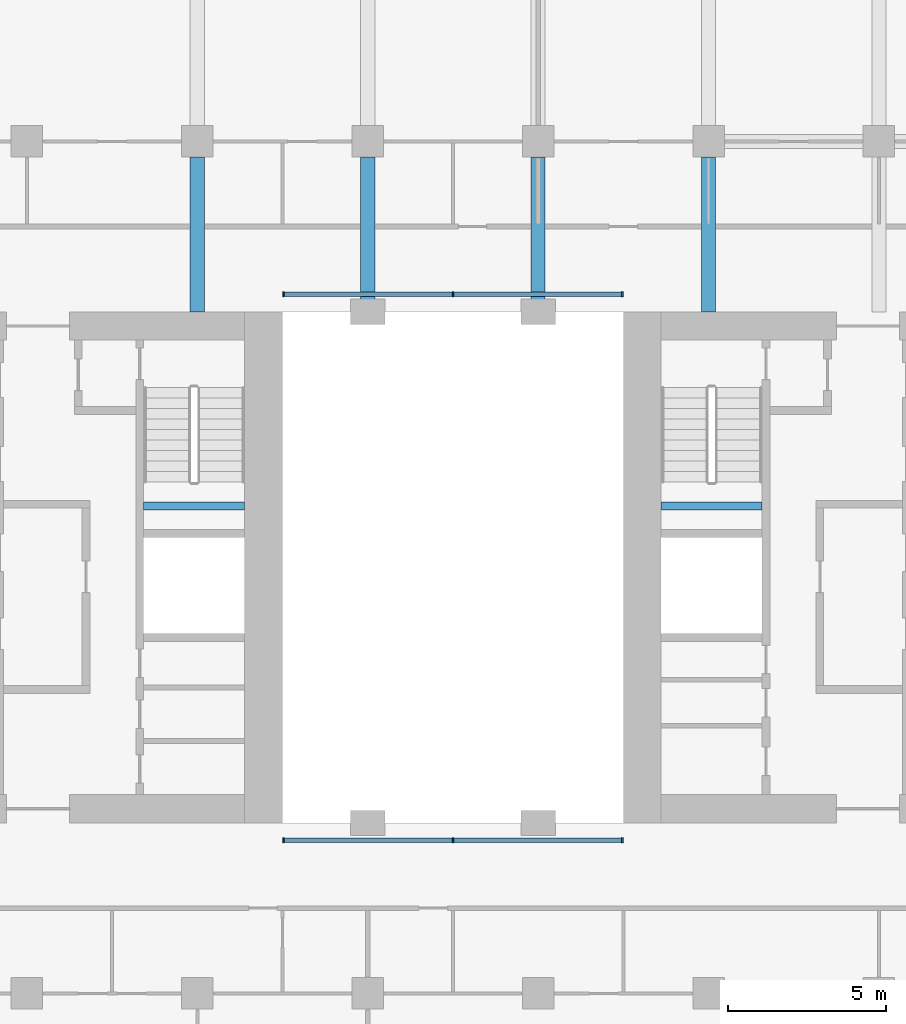
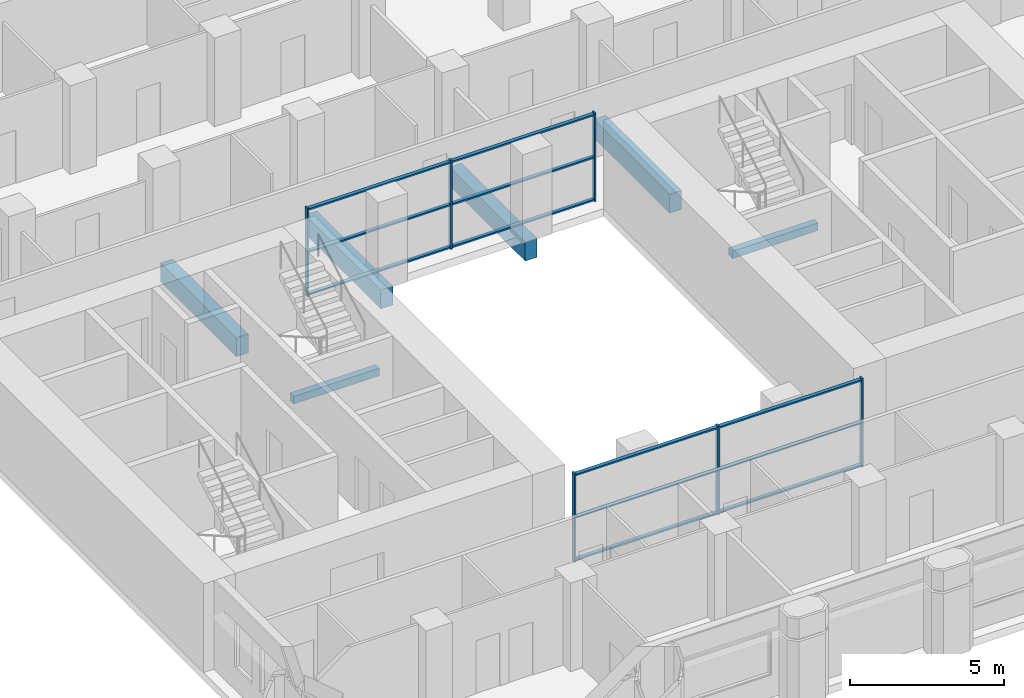
# One storey, part 2 of 11: 18 members, 6 beams, 2 elements without a shape of their own.
"""IFC4 building model written with IfcOpenShell, lengths in metres."""

from ifc_helpers import new_model, si_unit, direction, frame, origin, origin_2d, place, context, subcontext, project, spatial, rectangle, extrude, material, material_profile, profile_set, type_object, element, aggregate, save


model = new_model("IFC4")

# Units and contexts
model_context = context("Model", 3, precision=1e-05, world=origin(), true_north=direction((0.0, 1.0)))
body_context = subcontext(model_context, "Body", "Model", "MODEL_VIEW")
ifc_project = project(units=[si_unit("LENGTHUNIT", "METRE"), si_unit("AREAUNIT", "SQUARE_METRE"), si_unit("VOLUMEUNIT", "CUBIC_METRE"), si_unit("PLANEANGLEUNIT", "RADIAN"), si_unit("MASSUNIT", "GRAM", prefix="KILO")], contexts=[model_context])

# Site, building, storey
site_placement = place(None, origin())
site = spatial("IfcSite", under=ifc_project, at=site_placement, CompositionType="ELEMENT")
building_placement = place(site_placement, origin())
building = spatial("IfcBuilding", under=site, at=building_placement, Name="Tabaq Tower and Sports Hall", CompositionType="ELEMENT")
storey_placement = place(building_placement, frame((0.0, 0.0, 91.60009765625)))
storey = spatial("IfcBuildingStorey", under=building, at=storey_placement, Name="L21", CompositionType="ELEMENT", Elevation=91.60009765625)

# Curtain wall, members
ifc_material_1 = material(Name="Aluminium alloy 6063-T6 framed glazing", Category="aluminium")
curtain_wall_type = type_object("IfcCurtainWallType", Name="CW1 curtain wall", PredefinedType="USERDEFINED", material=ifc_material_1)
curtain_wall_1_placement = place(storey_placement, origin())
curtain_wall_1 = element("IfcCurtainWall", 1, at=curtain_wall_1_placement, inside=storey, type_object=curtain_wall_type, Name="Atrium glazing L21 S", ObjectType="ATRIUM ENCLOSURE", PredefinedType="USERDEFINED")
ifc_material_2 = material(Name="Aluminium alloy 6063-T6", Category="aluminium")
ifc_material_profile_1 = material_profile(ifc_material_2, rectangle(XDim=0.159912109375, YDim=0.06005859375, at=origin_2d()), Name="MULLION 160x60")
ifc_profile_set_1 = profile_set([ifc_material_profile_1], Name="Aluminium alloy 6063-T6")
member_type_1 = type_object("IfcMemberType", Name="CW1 mullion 160x60", PredefinedType="MULLION", material=ifc_profile_set_1)
member_1_placement = place(storey_placement, frame((18.929931640625, 15.64990234375, 0.0), z_axis=(0.0, 0.0, 1.0), x_axis=(0.0, 1.0, 0.0)))
member_1 = element("IfcMember", 2, at=member_1_placement, type_object=member_type_1, Name="CW1 mullion 1", PredefinedType="MULLION", context=body_context, shape_type="SweptSolid", body=[
    extrude(rectangle(XDim=0.159912109375, YDim=0.06005859375, at=origin_2d()), origin(), (0.0, 0.0, 1.0), 3.5),
])
member_2_placement = place(storey_placement, frame((24.300048828125, 15.64990234375, 0.0), z_axis=(0.0, 0.0, 1.0), x_axis=(0.0, 1.0, 0.0)))
member_2 = element("IfcMember", 3, at=member_2_placement, type_object=member_type_1, Name="CW1 mullion 2", PredefinedType="MULLION", context=body_context, shape_type="SweptSolid", body=[
    extrude(rectangle(XDim=0.159912109375, YDim=0.06005859375, at=origin_2d()), origin(), (0.0, 0.0, 1.0), 3.5),
])
member_3_placement = place(storey_placement, frame((29.669921875, 15.64990234375, 0.0), z_axis=(0.0, 0.0, 1.0), x_axis=(0.0, 1.0, 0.0)))
member_3 = element("IfcMember", 4, at=member_3_placement, type_object=member_type_1, Name="CW1 mullion 3", PredefinedType="MULLION", context=body_context, shape_type="SweptSolid", body=[
    extrude(rectangle(XDim=0.159912109375, YDim=0.06005859375, at=origin_2d()), origin(), (0.0, 0.0, 1.0), 3.5),
])

curtain_wall_2_placement = place(storey_placement, origin())
curtain_wall_2 = element("IfcCurtainWall", 5, at=curtain_wall_2_placement, inside=storey, type_object=curtain_wall_type, Name="Atrium glazing L21 N", ObjectType="ATRIUM ENCLOSURE", PredefinedType="USERDEFINED")
member_4_placement = place(storey_placement, frame((18.929931640625, 32.949951171875, 0.0), z_axis=(0.0, 0.0, 1.0), x_axis=(0.0, 1.0, 0.0)))
member_4 = element("IfcMember", 6, at=member_4_placement, type_object=member_type_1, Name="CW1 mullion 1", PredefinedType="MULLION", context=body_context, shape_type="SweptSolid", body=[
    extrude(rectangle(XDim=0.159912109375, YDim=0.06005859375, at=origin_2d()), origin(), (0.0, 0.0, 1.0), 3.5),
])
member_5_placement = place(storey_placement, frame((24.300048828125, 32.949951171875, 0.0), z_axis=(0.0, 0.0, 1.0), x_axis=(0.0, 1.0, 0.0)))
member_5 = element("IfcMember", 7, at=member_5_placement, type_object=member_type_1, Name="CW1 mullion 2", PredefinedType="MULLION", context=body_context, shape_type="SweptSolid", body=[
    extrude(rectangle(XDim=0.159912109375, YDim=0.06005859375, at=origin_2d()), origin(), (0.0, 0.0, 1.0), 3.5),
])
member_6_placement = place(storey_placement, frame((29.669921875, 32.949951171875, 0.0), z_axis=(0.0, 0.0, 1.0), x_axis=(0.0, 1.0, 0.0)))
member_6 = element("IfcMember", 8, at=member_6_placement, type_object=member_type_1, Name="CW1 mullion 3", PredefinedType="MULLION", context=body_context, shape_type="SweptSolid", body=[
    extrude(rectangle(XDim=0.159912109375, YDim=0.06005859375, at=origin_2d()), origin(), (0.0, 0.0, 1.0), 3.5),
])

# Member
ifc_material_3 = material(Name="Aluminium alloy 6063-T6", Category="aluminium")
ifc_material_profile_2 = material_profile(ifc_material_3, rectangle(XDim=0.139892578125, YDim=0.06005859375, at=origin_2d()), Name="TRANSOM 140x60")
ifc_profile_set_2 = profile_set([ifc_material_profile_2], Name="Aluminium alloy 6063-T6")
member_type_2 = type_object("IfcMemberType", Name="CW1 transom 140x60", PredefinedType="USERDEFINED", material=ifc_profile_set_2)
member_7_placement = place(storey_placement, frame((18.9599609375, 15.64990234375, 0.06982421875), z_axis=(1.0, 0.0, 0.0), x_axis=(0.0, 1.0, 0.0)))
member_7 = element("IfcMember", 9, at=member_7_placement, type_object=member_type_2, Name="CW1 transom 1.1", ObjectType="TRANSOM", PredefinedType="USERDEFINED", context=body_context, shape_type="SweptSolid", body=[
    extrude(rectangle(XDim=0.139892578125, YDim=0.06005859375, at=origin_2d()), origin(), (0.0, 0.0, 1.0), 5.31005859375),
])

member_8_placement = place(storey_placement, frame((18.9599609375, 15.64990234375, 1.75), z_axis=(1.0, 0.0, 0.0), x_axis=(0.0, 1.0, 0.0)))
member_8 = element("IfcMember", 10, at=member_8_placement, type_object=member_type_2, Name="CW1 transom 1.2", ObjectType="TRANSOM", PredefinedType="USERDEFINED", context=body_context, shape_type="SweptSolid", body=[
    extrude(rectangle(XDim=0.139892578125, YDim=0.06005859375, at=origin_2d()), origin(), (0.0, 0.0, 1.0), 5.31005859375),
])

member_9_placement = place(storey_placement, frame((18.9599609375, 15.64990234375, 3.429931640625), z_axis=(1.0, 0.0, 0.0), x_axis=(0.0, 1.0, 0.0)))
member_9 = element("IfcMember", 11, at=member_9_placement, type_object=member_type_2, Name="CW1 transom 1.3", ObjectType="TRANSOM", PredefinedType="USERDEFINED", context=body_context, shape_type="SweptSolid", body=[
    extrude(rectangle(XDim=0.139892578125, YDim=0.06005859375, at=origin_2d()), origin(), (0.0, 0.0, 1.0), 5.31005859375),
])

member_10_placement = place(storey_placement, frame((24.330078125, 15.64990234375, 0.06982421875), z_axis=(1.0, 0.0, 0.0), x_axis=(0.0, 1.0, 0.0)))
member_10 = element("IfcMember", 12, at=member_10_placement, type_object=member_type_2, Name="CW1 transom 2.1", ObjectType="TRANSOM", PredefinedType="USERDEFINED", context=body_context, shape_type="SweptSolid", body=[
    extrude(rectangle(XDim=0.139892578125, YDim=0.06005859375, at=origin_2d()), origin(), (0.0, 0.0, 1.0), 5.309814453125),
])

member_11_placement = place(storey_placement, frame((24.330078125, 15.64990234375, 1.75), z_axis=(1.0, 0.0, 0.0), x_axis=(0.0, 1.0, 0.0)))
member_11 = element("IfcMember", 13, at=member_11_placement, type_object=member_type_2, Name="CW1 transom 2.2", ObjectType="TRANSOM", PredefinedType="USERDEFINED", context=body_context, shape_type="SweptSolid", body=[
    extrude(rectangle(XDim=0.139892578125, YDim=0.06005859375, at=origin_2d()), origin(), (0.0, 0.0, 1.0), 5.309814453125),
])

member_12_placement = place(storey_placement, frame((24.330078125, 15.64990234375, 3.429931640625), z_axis=(1.0, 0.0, 0.0), x_axis=(0.0, 1.0, 0.0)))
member_12 = element("IfcMember", 14, at=member_12_placement, type_object=member_type_2, Name="CW1 transom 2.3", ObjectType="TRANSOM", PredefinedType="USERDEFINED", context=body_context, shape_type="SweptSolid", body=[
    extrude(rectangle(XDim=0.139892578125, YDim=0.06005859375, at=origin_2d()), origin(), (0.0, 0.0, 1.0), 5.309814453125),
])

aggregate(curtain_wall_1, [member_1, member_2, member_3, member_7, member_8, member_9, member_10, member_11, member_12])

member_13_placement = place(storey_placement, frame((18.9599609375, 32.949951171875, 0.06982421875), z_axis=(1.0, 0.0, 0.0), x_axis=(0.0, 1.0, 0.0)))
member_13 = element("IfcMember", 15, at=member_13_placement, type_object=member_type_2, Name="CW1 transom 1.1", ObjectType="TRANSOM", PredefinedType="USERDEFINED", context=body_context, shape_type="SweptSolid", body=[
    extrude(rectangle(XDim=0.139892578125, YDim=0.06005859375, at=origin_2d()), origin(), (0.0, 0.0, 1.0), 5.31005859375),
])

member_14_placement = place(storey_placement, frame((18.9599609375, 32.949951171875, 1.75), z_axis=(1.0, 0.0, 0.0), x_axis=(0.0, 1.0, 0.0)))
member_14 = element("IfcMember", 16, at=member_14_placement, type_object=member_type_2, Name="CW1 transom 1.2", ObjectType="TRANSOM", PredefinedType="USERDEFINED", context=body_context, shape_type="SweptSolid", body=[
    extrude(rectangle(XDim=0.139892578125, YDim=0.06005859375, at=origin_2d()), origin(), (0.0, 0.0, 1.0), 5.31005859375),
])

member_15_placement = place(storey_placement, frame((18.9599609375, 32.949951171875, 3.429931640625), z_axis=(1.0, 0.0, 0.0), x_axis=(0.0, 1.0, 0.0)))
member_15 = element("IfcMember", 17, at=member_15_placement, type_object=member_type_2, Name="CW1 transom 1.3", ObjectType="TRANSOM", PredefinedType="USERDEFINED", context=body_context, shape_type="SweptSolid", body=[
    extrude(rectangle(XDim=0.139892578125, YDim=0.06005859375, at=origin_2d()), origin(), (0.0, 0.0, 1.0), 5.31005859375),
])

member_16_placement = place(storey_placement, frame((24.330078125, 32.949951171875, 0.06982421875), z_axis=(1.0, 0.0, 0.0), x_axis=(0.0, 1.0, 0.0)))
member_16 = element("IfcMember", 18, at=member_16_placement, type_object=member_type_2, Name="CW1 transom 2.1", ObjectType="TRANSOM", PredefinedType="USERDEFINED", context=body_context, shape_type="SweptSolid", body=[
    extrude(rectangle(XDim=0.139892578125, YDim=0.06005859375, at=origin_2d()), origin(), (0.0, 0.0, 1.0), 5.309814453125),
])

member_17_placement = place(storey_placement, frame((24.330078125, 32.949951171875, 1.75), z_axis=(1.0, 0.0, 0.0), x_axis=(0.0, 1.0, 0.0)))
member_17 = element("IfcMember", 19, at=member_17_placement, type_object=member_type_2, Name="CW1 transom 2.2", ObjectType="TRANSOM", PredefinedType="USERDEFINED", context=body_context, shape_type="SweptSolid", body=[
    extrude(rectangle(XDim=0.139892578125, YDim=0.06005859375, at=origin_2d()), origin(), (0.0, 0.0, 1.0), 5.309814453125),
])

member_18_placement = place(storey_placement, frame((24.330078125, 32.949951171875, 3.429931640625), z_axis=(1.0, 0.0, 0.0), x_axis=(0.0, 1.0, 0.0)))
member_18 = element("IfcMember", 20, at=member_18_placement, type_object=member_type_2, Name="CW1 transom 2.3", ObjectType="TRANSOM", PredefinedType="USERDEFINED", context=body_context, shape_type="SweptSolid", body=[
    extrude(rectangle(XDim=0.139892578125, YDim=0.06005859375, at=origin_2d()), origin(), (0.0, 0.0, 1.0), 5.309814453125),
])

aggregate(curtain_wall_2, [member_4, member_5, member_6, member_13, member_14, member_15, member_16, member_17, member_18])

# Beams
ifc_material_4 = material(Name="Concrete C40/50", Category="concrete")
ifc_material_profile_3 = material_profile(ifc_material_4, rectangle(XDim=0.449951171875, YDim=0.75, at=origin_2d()), Name="CB 450x750")
ifc_profile_set_3 = profile_set([ifc_material_profile_3], Name="Concrete C40/50")
beam_type_1 = type_object("IfcBeamType", Name="PT CANTILEVER BEAM CB 450x750 C40/50", PredefinedType="BEAM", material=ifc_profile_set_3)
for number, where, z_axis, x_axis, name in (
    (21, (16.199951171875, 37.300048828125, -0.675048828125), (0.0, -1.0, 0.0), (1.0, 0.0, 0.0), "Cantilever Beam L21 N3 span 3"),
    (22, (21.60009765625, 37.300048828125, -0.675048828125), (0.0, -1.0, 0.0), (1.0, 0.0, 0.0), "Cantilever Beam L21 N4 span 3"),
    (23, (27.0, 37.300048828125, -0.675048828125), (0.0, -1.0, 0.0), (1.0, 0.0, 0.0), "Cantilever Beam L21 N5 span 3"),
    (24, (32.39990234375, 37.300048828125, -0.675048828125), (0.0, -1.0, 0.0), (1.0, 0.0, 0.0), "Cantilever Beam L21 N6 span 3"),
):
    element("IfcBeam", number, at=place(storey_placement, frame(where, z_axis=z_axis, x_axis=x_axis)), inside=storey, type_object=beam_type_1, Name=name, PredefinedType="BEAM", context=body_context, shape_type="SweptSolid", body=[
        extrude(rectangle(XDim=0.449951171875, YDim=0.75, at=origin_2d()), origin(), (0.0, 0.0, 1.0), 4.900146484375),
    ])
ifc_material_5 = material(Name="Concrete C40/50", Category="concrete")
ifc_material_profile_4 = material_profile(ifc_material_5, rectangle(XDim=0.25, YDim=0.300048828125, at=origin_2d()), Name="RC 250x300")
ifc_profile_set_4 = profile_set([ifc_material_profile_4], Name="Concrete C40/50")
beam_type_2 = type_object("IfcBeamType", Name="Stair landing beam 250x300", PredefinedType="BEAM", material=ifc_profile_set_4)
beam_1_placement = place(storey_placement, frame((14.5, 26.25, 1.5498046875), z_axis=(1.0, 0.0, 0.0), x_axis=(0.0, 1.0, 0.0)))
element("IfcBeam", 25, at=beam_1_placement, inside=storey, type_object=beam_type_2, Name="L21 ST2 landing beam 1", PredefinedType="BEAM", context=body_context, shape_type="SweptSolid", body=[
    extrude(rectangle(XDim=0.25, YDim=0.300048828125, at=origin_2d()), origin(), (0.0, 0.0, 1.0), 3.199951171875),
])
beam_2_placement = place(storey_placement, frame((30.89990234375, 26.25, 1.5498046875), z_axis=(1.0, 0.0, 0.0), x_axis=(0.0, 1.0, 0.0)))
element("IfcBeam", 26, at=beam_2_placement, inside=storey, type_object=beam_type_2, Name="L21 ST4 landing beam 1", PredefinedType="BEAM", context=body_context, shape_type="SweptSolid", body=[
    extrude(rectangle(XDim=0.25, YDim=0.300048828125, at=origin_2d()), origin(), (0.0, 0.0, 1.0), 3.2001953125),
])

save(model, "model.ifc")
